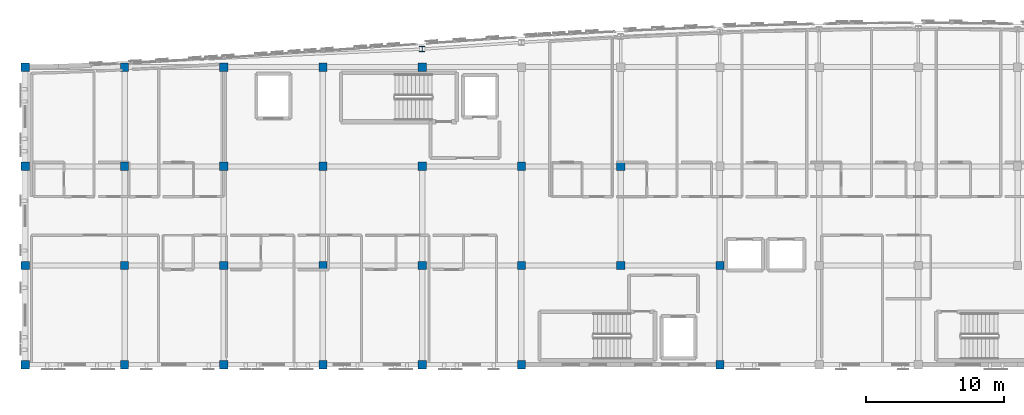
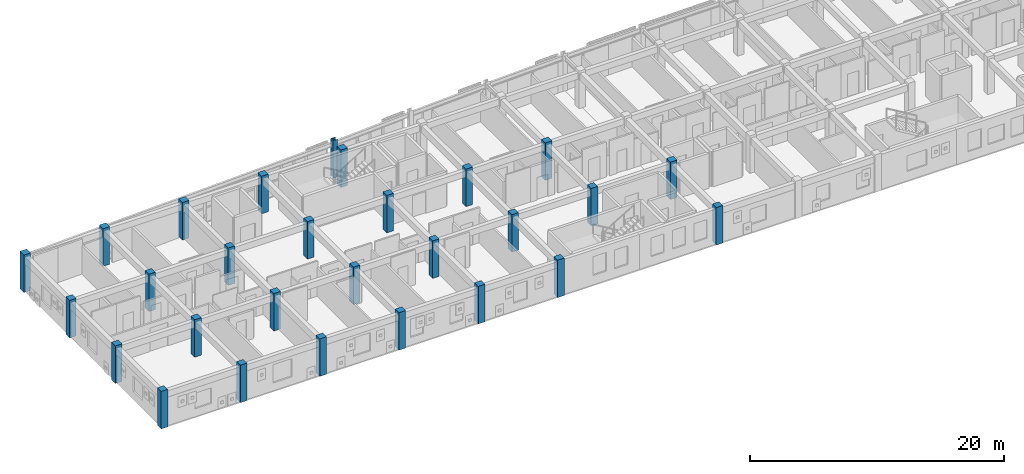
# One storey, part 1 of 45: 28 columns.
"""IFC4 building model written with IfcOpenShell, lengths in metres."""

from ifc_helpers import new_model, si_unit, direction, frame, origin, origin_2d, place, context, subcontext, project, spatial, rectangle, i_section, extrude, material, material_profile, profile_set, type_object, element, save


model = new_model("IFC4")

# Units and contexts
model_context = context("Model", 3, precision=1e-05, world=origin(), true_north=direction((0.0, 1.0)))
body_context = subcontext(model_context, "Body", "Model", "MODEL_VIEW")
ifc_project = project(units=[si_unit("LENGTHUNIT", "METRE"), si_unit("AREAUNIT", "SQUARE_METRE"), si_unit("VOLUMEUNIT", "CUBIC_METRE"), si_unit("PLANEANGLEUNIT", "RADIAN"), si_unit("MASSUNIT", "GRAM", prefix="KILO")], contexts=[model_context])

# Site, building, storey
site_placement = place(None, origin())
site = spatial("IfcSite", under=ifc_project, at=site_placement, CompositionType="ELEMENT")
building_placement = place(site_placement, origin())
building = spatial("IfcBuilding", under=site, at=building_placement, Name="Carrowvane Square Congress Hotel", CompositionType="ELEMENT")
storey_placement = place(building_placement, frame((0.0, 0.0, 33.60009765625)))
storey = spatial("IfcBuildingStorey", under=building, at=storey_placement, Name="L08", CompositionType="ELEMENT", Elevation=33.60009765625)

# Columns
ifc_material_1 = material(Name="Concrete C40/50", Category="concrete")
ifc_material_profile_1 = material_profile(ifc_material_1, rectangle(XDim=0.60009765625, YDim=0.60009765625, at=origin_2d()), Name="RC 600x600")
ifc_profile_set_1 = profile_set([ifc_material_profile_1], Name="Concrete C40/50")
column_type_1 = type_object("IfcColumnType", Name="COL-RC-600", PredefinedType="COLUMN", material=ifc_profile_set_1)
for number, where, z_axis, x_axis, name in (
    (1, (33.199951171875, 91.800048828125, 0.0), (0.0, 0.0, 1.0), (1.0, 0.0, 0.0), "L08 column 4/N"),
    (2, (33.199951171875, 99.0, 0.0), (0.0, 0.0, 1.0), (1.0, 0.0, 0.0), "L08 column 4/P"),
    (3, (33.199951171875, 106.199951171875, 0.0), (0.0, 0.0, 1.0), (1.0, 0.0, 0.0), "L08 column 4/Q"),
    (4, (33.199951171875, 113.39990234375, 0.0), (0.0, 0.0, 1.0), (1.0, 0.0, 0.0), "L08 column 4/R"),
    (5, (40.39990234375, 91.800048828125, 0.0), (0.0, 0.0, 1.0), (1.0, 0.0, 0.0), "L08 column 5/N"),
    (6, (40.39990234375, 99.0, 0.0), (0.0, 0.0, 1.0), (1.0, 0.0, 0.0), "L08 column 5/P"),
    (7, (40.39990234375, 106.199951171875, 0.0), (0.0, 0.0, 1.0), (1.0, 0.0, 0.0), "L08 column 5/Q"),
    (8, (40.39990234375, 113.39990234375, 0.0), (0.0, 0.0, 1.0), (1.0, 0.0, 0.0), "L08 column 5/R"),
    (9, (47.60009765625, 91.800048828125, 0.0), (0.0, 0.0, 1.0), (1.0, 0.0, 0.0), "L08 column 6/N"),
    (10, (47.60009765625, 99.0, 0.0), (0.0, 0.0, 1.0), (1.0, 0.0, 0.0), "L08 column 6/P"),
    (11, (47.60009765625, 106.199951171875, 0.0), (0.0, 0.0, 1.0), (1.0, 0.0, 0.0), "L08 column 6/Q"),
    (12, (47.60009765625, 113.39990234375, 0.0), (0.0, 0.0, 1.0), (1.0, 0.0, 0.0), "L08 column 6/R"),
    (13, (54.800048828125, 91.800048828125, 0.0), (0.0, 0.0, 1.0), (1.0, 0.0, 0.0), "L08 column 7/N"),
    (14, (54.800048828125, 99.0, 0.0), (0.0, 0.0, 1.0), (1.0, 0.0, 0.0), "L08 column 7/P"),
    (15, (54.800048828125, 106.199951171875, 0.0), (0.0, 0.0, 1.0), (1.0, 0.0, 0.0), "L08 column 7/Q"),
    (16, (54.800048828125, 113.39990234375, 0.0), (0.0, 0.0, 1.0), (1.0, 0.0, 0.0), "L08 column 7/R"),
    (17, (62.0, 91.800048828125, 0.0), (0.0, 0.0, 1.0), (1.0, 0.0, 0.0), "L08 column 8/N"),
    (18, (62.0, 99.0, 0.0), (0.0, 0.0, 1.0), (1.0, 0.0, 0.0), "L08 column 8/P"),
    (19, (62.0, 106.199951171875, 0.0), (0.0, 0.0, 1.0), (1.0, 0.0, 0.0), "L08 column 8/Q"),
    (20, (62.0, 113.39990234375, 0.0), (0.0, 0.0, 1.0), (1.0, 0.0, 0.0), "L08 column 8/R"),
    (21, (69.199951171875, 91.800048828125, 0.0), (0.0, 0.0, 1.0), (1.0, 0.0, 0.0), "L08 column 9/N"),
    (22, (69.199951171875, 99.0, 0.0), (0.0, 0.0, 1.0), (1.0, 0.0, 0.0), "L08 column 9/P"),
    (23, (69.199951171875, 106.199951171875, 0.0), (0.0, 0.0, 1.0), (1.0, 0.0, 0.0), "L08 column 9/Q"),
    (24, (76.39990234375, 99.0, 0.0), (0.0, 0.0, 1.0), (1.0, 0.0, 0.0), "L08 column 10/P"),
    (25, (76.39990234375, 106.199951171875, 0.0), (0.0, 0.0, 1.0), (1.0, 0.0, 0.0), "L08 column 10/Q"),
    (26, (83.60009765625, 91.800048828125, 0.0), (0.0, 0.0, 1.0), (1.0, 0.0, 0.0), "L08 column 11/N"),
    (27, (83.60009765625, 99.0, 0.0), (0.0, 0.0, 1.0), (1.0, 0.0, 0.0), "L08 column 11/P"),
):
    element("IfcColumn", number, at=place(storey_placement, frame(where, z_axis=z_axis, x_axis=x_axis)), inside=storey, type_object=column_type_1, Name=name, PredefinedType="COLUMN", context=body_context, shape_type="SweptSolid", body=[
        extrude(rectangle(XDim=0.60009765625, YDim=0.60009765625, at=origin_2d()), origin(), (0.0, 0.0, 1.0), 3.599853515625),
    ])
ifc_material_2 = material(Name="Steel S355", Category="steel")
ifc_material_profile_2 = material_profile(ifc_material_2, i_section(OverallWidth=0.394775390625, OverallDepth=0.381103515625, WebThickness=0.018310546875, FlangeThickness=0.0302734375, FilletRadius=0.01513671875, at=origin_2d()), Name="UKC 356x406x235")
ifc_profile_set_2 = profile_set([ifc_material_profile_2], Name="Steel S355")
column_type_2 = type_object("IfcColumnType", Name="COL-ST-UKC406", PredefinedType="COLUMN", material=ifc_profile_set_2)
column_placement = place(storey_placement, frame((62.0, 114.7060546875, 0.0), z_axis=(0.0, 0.0, 1.0), x_axis=(1.0, 0.0, 0.0)))
element("IfcColumn", 28, at=column_placement, inside=storey, type_object=column_type_2, Name="L08 column 8/ARC", PredefinedType="COLUMN", context=body_context, shape_type="SweptSolid", body=[
    extrude(i_section(OverallWidth=0.394775390625, OverallDepth=0.381103515625, WebThickness=0.018310546875, FlangeThickness=0.0302734375, FilletRadius=0.01513671875, at=origin_2d()), origin(), (0.0, 0.0, 1.0), 3.599853515625),
])

save(model, "model.ifc")
